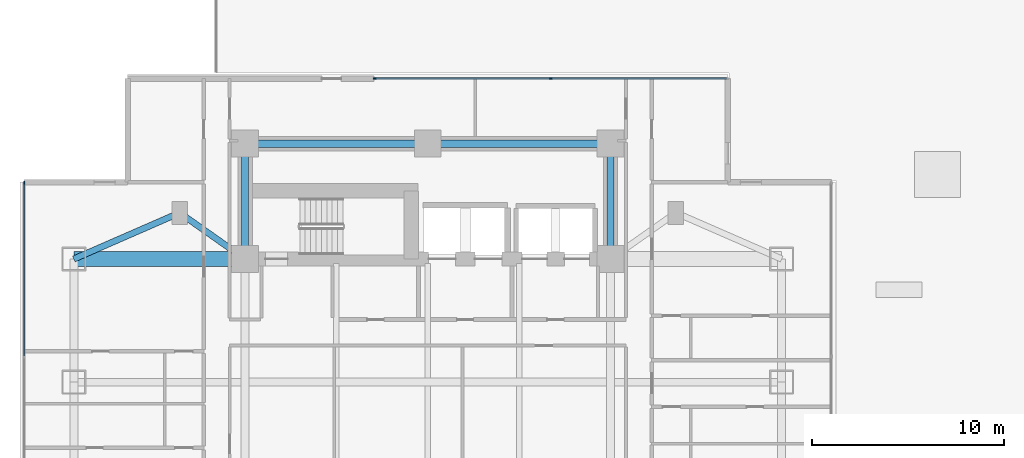
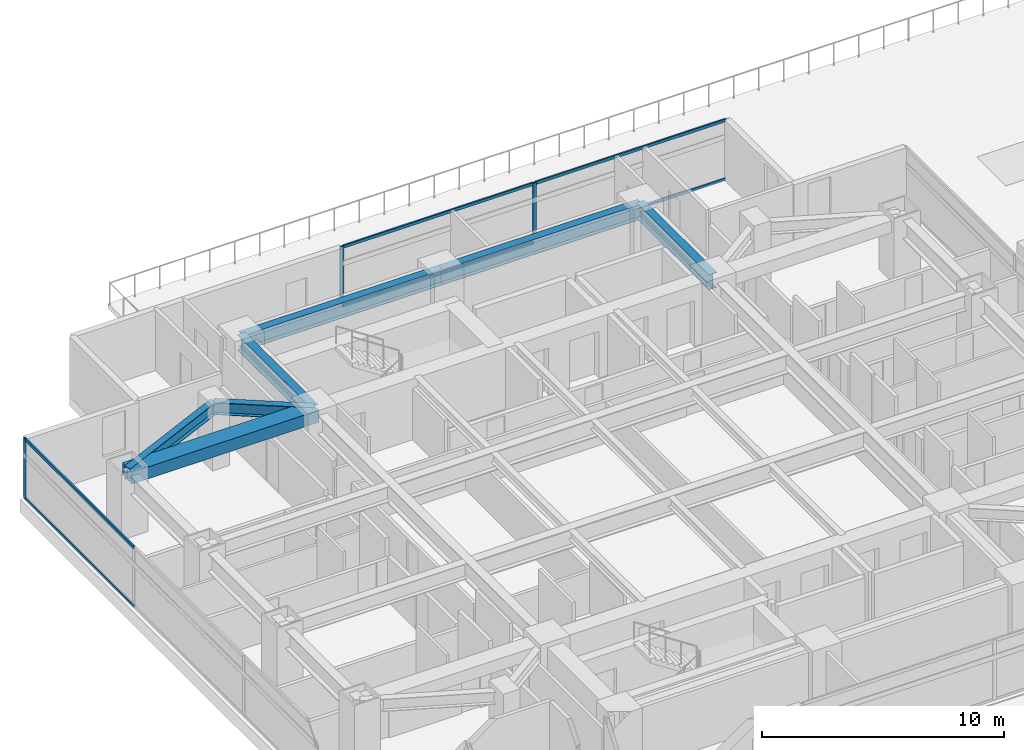
# One storey, part 6 of 26: 9 members, 7 beams, 2 elements without a shape of their own.
"""IFC4 building model written with IfcOpenShell, lengths in metres."""

from ifc_helpers import new_model, si_unit, direction, frame, origin, origin_2d, place, context, subcontext, project, spatial, rectangle, i_section, extrude, material, material_profile, profile_set, type_object, element, aggregate, save


model = new_model("IFC4")

# Units and contexts
model_context = context("Model", 3, precision=1e-05, world=origin(), true_north=direction((0.0, 1.0)))
body_context = subcontext(model_context, "Body", "Model", "MODEL_VIEW")
ifc_project = project(units=[si_unit("LENGTHUNIT", "METRE"), si_unit("AREAUNIT", "SQUARE_METRE"), si_unit("VOLUMEUNIT", "CUBIC_METRE"), si_unit("PLANEANGLEUNIT", "RADIAN"), si_unit("MASSUNIT", "GRAM", prefix="KILO")], contexts=[model_context])

# Site, building, storey
site_placement = place(None, origin())
site = spatial("IfcSite", under=ifc_project, at=site_placement, CompositionType="ELEMENT")
building_placement = place(site_placement, origin())
building = spatial("IfcBuilding", under=site, at=building_placement, Name="Mirazonda Arch Towers", CompositionType="ELEMENT")
storey_placement = place(building_placement, frame((0.0, 0.0, 22.39990234375)))
storey = spatial("IfcBuildingStorey", under=building, at=storey_placement, Name="L05", CompositionType="ELEMENT", Elevation=22.39990234375)

# Beams
ifc_material_1 = material(Name="Steel ASTM A992 Grade 50", Category="steel")
ifc_material_profile_1 = material_profile(ifc_material_1, i_section(OverallWidth=0.324951171875, OverallDepth=0.615966796875, WebThickness=0.013916015625, FlangeThickness=0.021484375, at=origin_2d()), Name="W24X117")
ifc_profile_set_1 = profile_set([ifc_material_profile_1], Name="Steel ASTM A992 Grade 50")
beam_type_1 = type_object("IfcBeamType", Name="BM-INT-W24X117", PredefinedType="BEAM", material=ifc_profile_set_1)
beam_1_placement = place(storey_placement, frame((7.60009765625, 40.0, 2.752197265625), z_axis=(0.816971114901, -0.576678591087, 0.0), x_axis=(0.576678591087, 0.816971114901, 0.0)))
element("IfcBeam", 1, at=beam_1_placement, inside=storey, type_object=beam_type_1, Name="L05 Floor Beam BM-T1-L05-PL-NW1", PredefinedType="BEAM", context=body_context, shape_type="SweptSolid", body=[
    extrude(i_section(OverallWidth=0.324951171875, OverallDepth=0.615966796875, WebThickness=0.013916015625, FlangeThickness=0.021484375, at=origin_2d()), origin(), (0.0, 0.0, 1.0), 4.16162109375),
])
beam_2_placement = place(storey_placement, frame((7.60009765625, 40.0, 2.752197265625), z_axis=(-0.916545343703, -0.399930785183, 0.0), x_axis=(0.399930785183, -0.916545343703, 0.0)))
element("IfcBeam", 2, at=beam_2_placement, inside=storey, type_object=beam_type_1, Name="L05 Floor Beam BM-T1-L05-PL-NW2", PredefinedType="BEAM", context=body_context, shape_type="SweptSolid", body=[
    extrude(i_section(OverallWidth=0.324951171875, OverallDepth=0.615966796875, WebThickness=0.013916015625, FlangeThickness=0.021484375, at=origin_2d()), origin(), (0.0, 0.0, 1.0), 6.000732421875),
])
ifc_material_profile_2 = material_profile(ifc_material_1, i_section(OverallWidth=0.381103515625, OverallDepth=0.77294921875, WebThickness=0.0166015625, FlangeThickness=0.027099609375, at=origin_2d()), Name="W30X173")
ifc_profile_set_2 = profile_set([ifc_material_profile_2], Name="Steel ASTM A992 Grade 50")
beam_type_2 = type_object("IfcBeamType", Name="BM-INT-W30X173", PredefinedType="USERDEFINED", material=ifc_profile_set_2)
for number, where, z_axis, x_axis, name in (
    (3, (11.0, 43.60009765625, 2.673583984375), (1.0, 0.0, 0.0), (0.0, 1.0, 0.0), "L05 Floor Beam BM-T1-L05-CN1"),
    (4, (20.5, 43.60009765625, 2.673583984375), (1.0, 0.0, 0.0), (0.0, 1.0, 0.0), "L05 Floor Beam BM-T1-L05-CN2"),
):
    element("IfcBeam", number, at=place(storey_placement, frame(where, z_axis=z_axis, x_axis=x_axis)), inside=storey, type_object=beam_type_2, Name=name, ObjectType="GIRDER", PredefinedType="USERDEFINED", context=body_context, shape_type="SweptSolid", body=[
        extrude(i_section(OverallWidth=0.381103515625, OverallDepth=0.77294921875, WebThickness=0.0166015625, FlangeThickness=0.027099609375, at=origin_2d()), origin(), (0.0, 0.0, 1.0), 9.5),
    ])
for number, where, z_axis, x_axis, name in (
    (5, (11.0, 37.60009765625, 2.673583984375), (0.0, 1.0, 0.0), (-1.0, 0.0, 0.0), "L05 Floor Beam BM-T1-L05-CNW"),
    (6, (30.0, 37.60009765625, 2.673583984375), (0.0, 1.0, 0.0), (-1.0, 0.0, 0.0), "L05 Floor Beam BM-T1-L05-CNE"),
):
    element("IfcBeam", number, at=place(storey_placement, frame(where, z_axis=z_axis, x_axis=x_axis)), inside=storey, type_object=beam_type_2, Name=name, ObjectType="GIRDER", PredefinedType="USERDEFINED", context=body_context, shape_type="SweptSolid", body=[
        extrude(i_section(OverallWidth=0.381103515625, OverallDepth=0.77294921875, WebThickness=0.0166015625, FlangeThickness=0.027099609375, at=origin_2d()), origin(), (0.0, 0.0, 1.0), 6.0),
    ])
ifc_material_2 = material(Name="Concrete C60/75", Category="concrete")
ifc_material_profile_3 = material_profile(ifc_material_2, rectangle(XDim=0.800048828125, YDim=0.60009765625, at=origin_2d()), Name="RCCB800x600")
ifc_profile_set_3 = profile_set([ifc_material_profile_3], Name="Concrete C60/75")
beam_type_3 = type_object("IfcBeamType", Name="CB-INT-RCCB800x600", PredefinedType="SPANDREL", material=ifc_profile_set_3)
beam_3_placement = place(storey_placement, frame((2.10009765625, 37.60009765625, 2.760009765625), z_axis=(1.0, 0.0, 0.0), x_axis=(0.0, 1.0, 0.0)))
element("IfcBeam", 7, at=beam_3_placement, inside=storey, type_object=beam_type_3, Name="L05 Floor Beam CBC-T1-L05-NW", PredefinedType="SPANDREL", context=body_context, shape_type="SweptSolid", body=[
    extrude(rectangle(XDim=0.800048828125, YDim=0.60009765625, at=origin_2d()), origin(), (0.0, 0.0, 1.0), 8.89990234375),
])

# Curtain wall, members
ifc_material_3 = material(Name="Anodised Aluminium and Low-E Glass", Category="aluminium")
curtain_wall_type = type_object("IfcCurtainWallType", Name="CW-HTL-UNIT", PredefinedType="NOTDEFINED", material=ifc_material_3)
curtain_wall_1_placement = place(storey_placement, origin())
curtain_wall_1 = element("IfcCurtainWall", 8, at=curtain_wall_1_placement, inside=storey, type_object=curtain_wall_type, Name="L05 Curtain Wall CW-L05-T1-N", PredefinedType="NOTDEFINED")
ifc_material_4 = material(Name="Anodised Aluminium Alloy", Category="aluminium")
ifc_material_profile_4 = material_profile(ifc_material_4, rectangle(XDim=0.074951171875, YDim=0.1650390625, at=origin_2d()), Name="ALU-MULL-75x165")
ifc_profile_set_4 = profile_set([ifc_material_profile_4], Name="Anodised Aluminium Alloy")
member_type_1 = type_object("IfcMemberType", Name="MULL-CW-HTL-UNIT", PredefinedType="MULLION", material=ifc_profile_set_4)
member_1_placement = place(storey_placement, frame((17.737548828125, 46.97998046875, 0.0), z_axis=(0.0, 0.0, 1.0), x_axis=(0.0, 1.0, 0.0)))
member_1 = element("IfcMember", 9, at=member_1_placement, type_object=member_type_1, Name="CW-112 mullion 1", PredefinedType="MULLION", context=body_context, shape_type="SweptSolid", body=[
    extrude(rectangle(XDim=0.074951171875, YDim=0.1650390625, at=origin_2d()), origin(), (0.0, 0.0, 1.0), 3.0400390625),
])
member_2_placement = place(storey_placement, frame((26.89990234375, 46.97998046875, 0.0), z_axis=(0.0, 0.0, 1.0), x_axis=(0.0, 1.0, 0.0)))
member_2 = element("IfcMember", 10, at=member_2_placement, type_object=member_type_1, Name="CW-112 mullion 2", PredefinedType="MULLION", context=body_context, shape_type="SweptSolid", body=[
    extrude(rectangle(XDim=0.074951171875, YDim=0.1650390625, at=origin_2d()), origin(), (0.0, 0.0, 1.0), 3.0400390625),
])

# Curtain wall, member
curtain_wall_2_placement = place(storey_placement, origin())
curtain_wall_2 = element("IfcCurtainWall", 11, at=curtain_wall_2_placement, inside=storey, type_object=curtain_wall_type, Name="L05 T1 W Facade CW-L05-T1-W", PredefinedType="NOTDEFINED")
member_3_placement = place(storey_placement, frame((-0.47998046875, 41.5625, 0.0), z_axis=(0.0, 0.0, 1.0), x_axis=(1.0, 0.0, 0.0)))
member_3 = element("IfcMember", 12, at=member_3_placement, type_object=member_type_1, Name="CW-112 mullion 1", PredefinedType="MULLION", context=body_context, shape_type="SweptSolid", body=[
    extrude(rectangle(XDim=0.074951171875, YDim=0.1650390625, at=origin_2d()), origin(), (0.0, 0.0, 1.0), 3.0400390625),
])

# Member
ifc_material_profile_5 = material_profile(ifc_material_4, rectangle(XDim=0.074951171875, YDim=0.14501953125, at=origin_2d()), Name="ALU-TRAN-75x145")
ifc_profile_set_5 = profile_set([ifc_material_profile_5], Name="Anodised Aluminium Alloy")
member_type_2 = type_object("IfcMemberType", Name="TRAN-CW-HTL-UNIT", PredefinedType="USERDEFINED", material=ifc_profile_set_5)
member_4_placement = place(storey_placement, frame((17.77490234375, 46.97998046875, 0.03759765625), z_axis=(1.0, 0.0, 0.0), x_axis=(0.0, 1.0, 0.0)))
member_4 = element("IfcMember", 13, at=member_4_placement, type_object=member_type_2, Name="CW-112 transom 1.1", ObjectType="TRANSOM", PredefinedType="USERDEFINED", context=body_context, shape_type="SweptSolid", body=[
    extrude(rectangle(XDim=0.074951171875, YDim=0.14501953125, at=origin_2d()), origin(), (0.0, 0.0, 1.0), 9.087646484375),
])

member_5_placement = place(storey_placement, frame((17.77490234375, 46.97998046875, 3.002685546875), z_axis=(1.0, 0.0, 0.0), x_axis=(0.0, 1.0, 0.0)))
member_5 = element("IfcMember", 14, at=member_5_placement, type_object=member_type_2, Name="CW-112 transom 1.2", ObjectType="TRANSOM", PredefinedType="USERDEFINED", context=body_context, shape_type="SweptSolid", body=[
    extrude(rectangle(XDim=0.074951171875, YDim=0.14501953125, at=origin_2d()), origin(), (0.0, 0.0, 1.0), 9.087646484375),
])

member_6_placement = place(storey_placement, frame((26.9375, 46.97998046875, 0.03759765625), z_axis=(1.0, 0.0, 0.0), x_axis=(0.0, 1.0, 0.0)))
member_6 = element("IfcMember", 15, at=member_6_placement, type_object=member_type_2, Name="CW-112 transom 2.1", ObjectType="TRANSOM", PredefinedType="USERDEFINED", context=body_context, shape_type="SweptSolid", body=[
    extrude(rectangle(XDim=0.074951171875, YDim=0.14501953125, at=origin_2d()), origin(), (0.0, 0.0, 1.0), 9.08740234375),
])

member_7_placement = place(storey_placement, frame((26.9375, 46.97998046875, 3.002685546875), z_axis=(1.0, 0.0, 0.0), x_axis=(0.0, 1.0, 0.0)))
member_7 = element("IfcMember", 16, at=member_7_placement, type_object=member_type_2, Name="CW-112 transom 2.2", ObjectType="TRANSOM", PredefinedType="USERDEFINED", context=body_context, shape_type="SweptSolid", body=[
    extrude(rectangle(XDim=0.074951171875, YDim=0.14501953125, at=origin_2d()), origin(), (0.0, 0.0, 1.0), 9.08740234375),
])

aggregate(curtain_wall_1, [member_1, member_2, member_4, member_5, member_6, member_7])

member_8_placement = place(storey_placement, frame((-0.47998046875, 41.52490234375, 0.03759765625), z_axis=(0.0, -1.0, 0.0), x_axis=(1.0, 0.0, 0.0)))
member_8 = element("IfcMember", 17, at=member_8_placement, type_object=member_type_2, Name="CW-112 transom 1.1", ObjectType="TRANSOM", PredefinedType="USERDEFINED", context=body_context, shape_type="SweptSolid", body=[
    extrude(rectangle(XDim=0.074951171875, YDim=0.14501953125, at=origin_2d()), origin(), (0.0, 0.0, 1.0), 8.9541015625),
])

member_9_placement = place(storey_placement, frame((-0.47998046875, 41.52490234375, 3.002685546875), z_axis=(0.0, -1.0, 0.0), x_axis=(1.0, 0.0, 0.0)))
member_9 = element("IfcMember", 18, at=member_9_placement, type_object=member_type_2, Name="CW-112 transom 1.2", ObjectType="TRANSOM", PredefinedType="USERDEFINED", context=body_context, shape_type="SweptSolid", body=[
    extrude(rectangle(XDim=0.074951171875, YDim=0.14501953125, at=origin_2d()), origin(), (0.0, 0.0, 1.0), 8.9541015625),
])

aggregate(curtain_wall_2, [member_3, member_8, member_9])

save(model, "model.ifc")
